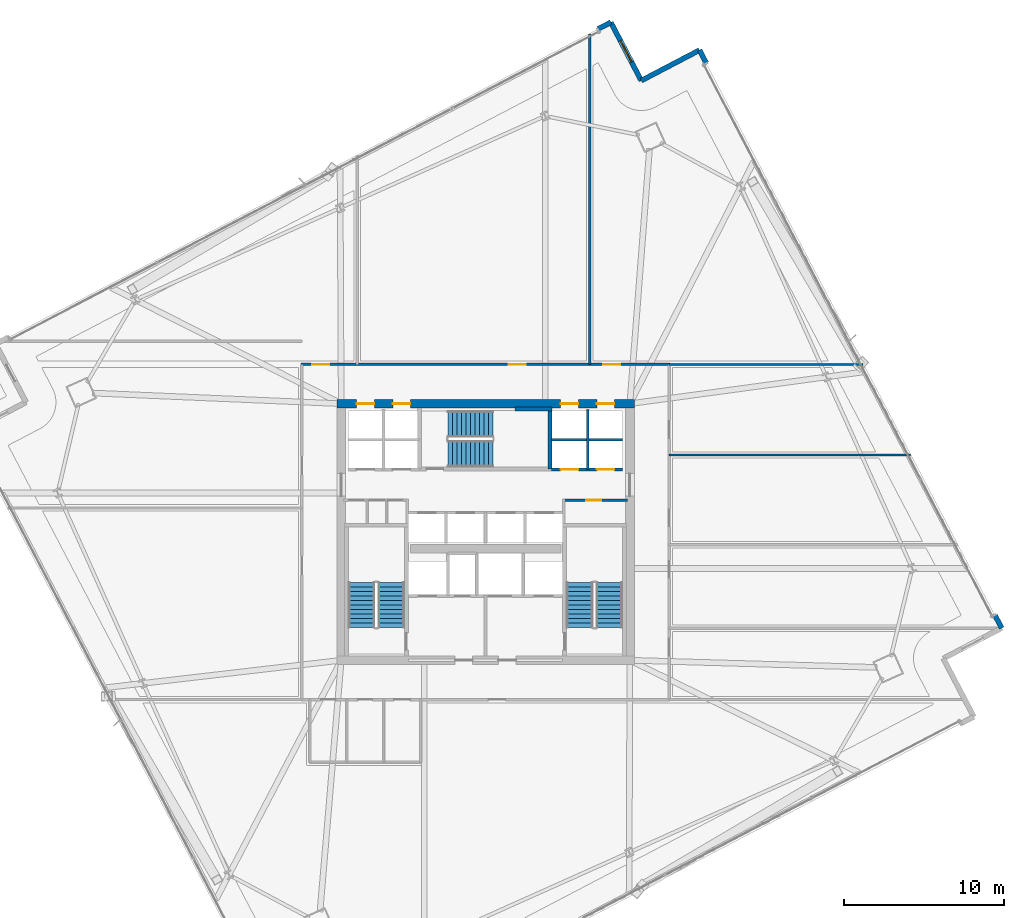
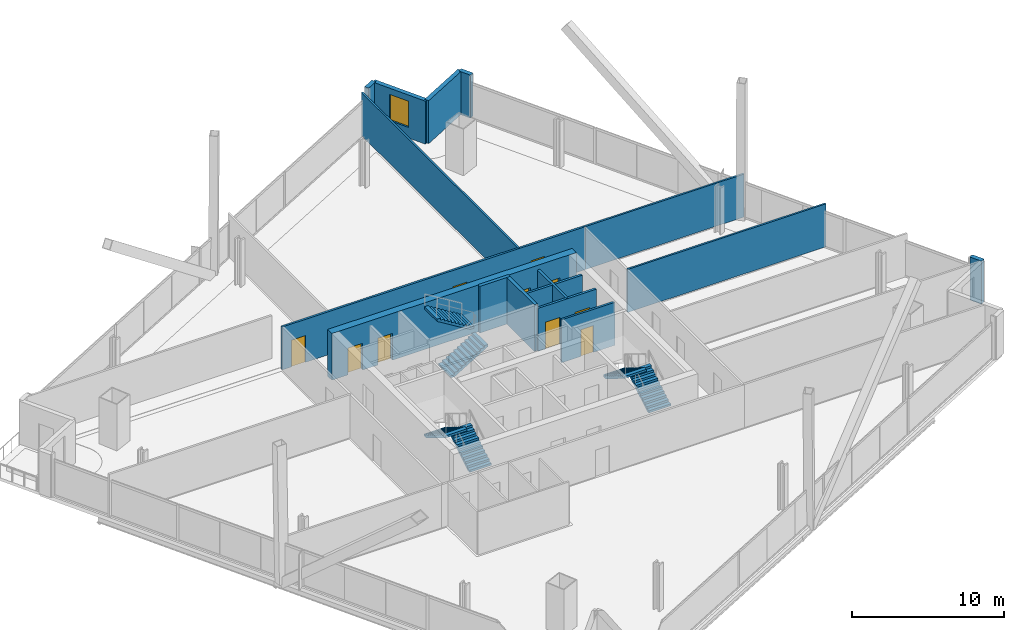
# One storey, part 28 of 33: 16 walls, 10 doors, 6 stair flights, 1 window, 11 openings, 3 elements without a shape of their own.
"""IFC4 building model written with IfcOpenShell, lengths in metres."""

import ifcopenshell
import ifcopenshell.guid

model = None  # the IFC model being written
_history = None  # IfcOwnerHistory: only IFC2X3 demands one
_inside = {}  # id of a spatial element -> (the spatial element, [elements in it])
_under = {}  # id of a project, library or spatial element -> (it, [spatial elements below it])
_declared = {}  # id of a project -> (the project, [libraries it declares])
_typed = {}  # id of a type object -> (the type object, [elements of that type])
_made_of = {}  # id of a material, layer set ... -> (it, [elements and type objects made of it])


def new_model(schema):
    """Start an empty IFC model of exactly this schema.

    Asked for "IFC4X3", IfcOpenShell would pick the latest addendum, in which some entities
    have other attributes; the version numbers below select the first issue.
    IFC2X3 requires an IfcOwnerHistory on every rooted entity: one is made here for all.
    """
    global model, _history
    if schema == "IFC4X3":
        model = ifcopenshell.file(schema_version=(4, 3, 0, 0))
    else:
        model = ifcopenshell.file(schema=schema)
    _inside.clear()
    _under.clear()
    _declared.clear()
    _typed.clear()
    _made_of.clear()
    _history = None
    if model.schema == "IFC2X3":
        org = make("IfcOrganization", Name="unknown")
        user = make(
            "IfcPersonAndOrganization",
            ThePerson=make("IfcPerson", FamilyName="unknown"),
            TheOrganization=org,
        )
        app = make(
            "IfcApplication",
            ApplicationDeveloper=org,
            Version="unknown",
            ApplicationFullName="unknown",
            ApplicationIdentifier="unknown",
        )
        _history = make(
            "IfcOwnerHistory",
            OwningUser=user,
            OwningApplication=app,
            ChangeAction="ADDED",
            CreationDate=0,
        )
    return model


def make(cls, **values):
    """One entity of the class cls with the attributes given. An attribute that is None is left unset."""
    return model.create_entity(
        cls, **{name: value for name, value in values.items() if value is not None}
    )


def rooted(cls, **values):
    """An entity with a GlobalId (a new one), such as an element, a storey or a relation."""
    return make(cls, GlobalId=ifcopenshell.guid.new(), OwnerHistory=_history, **values)


def si_unit(unit_type, name, prefix=None):
    """IfcSIUnit, for example si_unit("LENGTHUNIT", "METRE", prefix="MILLI")."""
    return make("IfcSIUnit", UnitType=unit_type, Prefix=prefix, Name=name)


def assignment(units):
    """IfcUnitAssignment: the units of a project."""
    return None if units is None else make("IfcUnitAssignment", Units=units)


def point(xyz):
    """IfcCartesianPoint."""
    return None if xyz is None else make("IfcCartesianPoint", Coordinates=xyz)


def direction(xyz):
    """IfcDirection."""
    return None if xyz is None else make("IfcDirection", DirectionRatios=xyz)


def frame(location, z_axis=None, x_axis=None):
    """IfcAxis2Placement3D, a coordinate frame: its origin and axes. An axis left out is left unset."""
    return make(
        "IfcAxis2Placement3D",
        Location=point(location),
        Axis=direction(z_axis),
        RefDirection=direction(x_axis),
    )


def frame_2d(location, x_axis=None):
    """IfcAxis2Placement2D, a coordinate frame in the plane: its origin and x axis."""
    return make(
        "IfcAxis2Placement2D", Location=point(location), RefDirection=direction(x_axis)
    )


def origin():
    """The frame at (0, 0, 0) with its axes left unset."""
    return frame((0.0, 0.0, 0.0))


def place(relative_to, where):
    """IfcLocalPlacement: puts the frame where relative to a parent placement (None: the world)."""
    return make(
        "IfcLocalPlacement", PlacementRelTo=relative_to, RelativePlacement=where
    )


def context(
    kind, dimensions, precision=None, world=None, true_north=None, identifier=None
):
    """IfcGeometricRepresentationContext, for example the 3D "Model" context."""
    return make(
        "IfcGeometricRepresentationContext",
        ContextIdentifier=identifier,
        ContextType=kind,
        CoordinateSpaceDimension=dimensions,
        Precision=precision,
        WorldCoordinateSystem=world,
        TrueNorth=true_north,
    )


def subcontext(parent, identifier, kind, view, scale=None):
    """IfcGeometricRepresentationSubContext, for example "Body" below "Model"."""
    return make(
        "IfcGeometricRepresentationSubContext",
        ContextIdentifier=identifier,
        ContextType=kind,
        ParentContext=parent,
        TargetScale=scale,
        TargetView=view,
    )


def project(units=None, contexts=None):
    """IfcProject with its units and contexts."""
    return rooted(
        "IfcProject",
        Name="project",
        RepresentationContexts=contexts,
        UnitsInContext=assignment(units),
    )


def spatial(cls, under=None, at=None, **own):
    """A site, building, storey or space (cls), placed at a placement, below another one or the project."""
    s = rooted(cls, ObjectPlacement=at, **own)
    if under is not None:
        _under.setdefault(under.id(), (under, []))[1].append(s)
    return s


def polyline(points):
    """IfcPolyline through the points."""
    return make("IfcPolyline", Points=[point(p) for p in points])


def profile(cls, at=None, kind="AREA", **sizes):
    """A parametric profile (cls). Its sizes go by their IFC names, for example OverallWidth=200.0."""
    return make(cls, ProfileType=kind, Position=at, **sizes)


def rectangle(**sizes):
    """IfcRectangleProfileDef."""
    return profile("IfcRectangleProfileDef", **sizes)


def outline(outer, holes=None, kind="AREA"):
    """IfcArbitraryClosedProfileDef: a profile drawn as a closed curve; with holes, ...WithVoids."""
    if holes is None:
        return make("IfcArbitraryClosedProfileDef", ProfileType=kind, OuterCurve=outer)
    return make(
        "IfcArbitraryProfileDefWithVoids",
        ProfileType=kind,
        OuterCurve=outer,
        InnerCurves=holes,
    )


def extrude(swept, where, along, depth):
    """IfcExtrudedAreaSolid: the profile swept, set in the frame where, extruded along a direction by depth."""
    return make(
        "IfcExtrudedAreaSolid",
        SweptArea=swept,
        Position=where,
        ExtrudedDirection=direction(along),
        Depth=depth,
    )


def shape(context_of_items, identifier, shape_type, items):
    """IfcShapeRepresentation: the items that make up one representation, for example the "Body"."""
    return make(
        "IfcShapeRepresentation",
        ContextOfItems=context_of_items,
        RepresentationIdentifier=identifier,
        RepresentationType=shape_type,
        Items=items,
    )


def material(Name=None, Category=None):
    """IfcMaterial."""
    return make("IfcMaterial", Name=Name, Category=Category)


def layer(
    of_material, thickness, ventilated=None, Name=None, Category=None, Priority=None
):
    """IfcMaterialLayer: one layer of a wall or slab, of a material (None: an air gap)."""
    return make(
        "IfcMaterialLayer",
        Material=of_material,
        LayerThickness=thickness,
        IsVentilated=ventilated,
        Name=Name,
        Category=Category,
        Priority=Priority,
    )


def layer_set(layers, Name=None):
    """IfcMaterialLayerSet."""
    return make("IfcMaterialLayerSet", MaterialLayers=layers, LayerSetName=Name)


def made_of(thing, what):
    """Note that an element or type object is made of a material, layer set ...; save() writes the relation."""
    if what is not None:
        _made_of.setdefault(what.id(), (what, []))[1].append(thing)
    return thing


def type_object(cls, material=None, **own):
    """A type object (cls), such as IfcWallType, which elements share."""
    return made_of(rooted(cls, **own), material)


def element(
    cls,
    number,
    at=None,
    inside=None,
    cuts=None,
    type_object=None,
    material=None,
    context=None,
    identifier="Body",
    shape_type=None,
    held_by="IfcProductDefinitionShape",
    body=None,
    shapes=None,
    **own,
):
    """One element of the class cls, such as IfcWall. Its Tag is "e" and its number.

    at: its placement. inside: the storey or other place that contains it. cuts: it is an
    opening in that element (IfcRelVoidsElement). A single representation is given by context,
    identifier, shape_type and body (its items); several are given by shapes. held_by: the class
    of the entity that holds the representations. save() writes the other relations.
    """
    e = rooted(cls, Tag="e%d" % number, ObjectPlacement=at, **own)
    if body is not None:
        shapes = [shape(context, identifier, shape_type, body)]
    if shapes is not None:
        e.Representation = make(held_by, Representations=shapes)
    if inside is not None:
        _inside.setdefault(inside.id(), (inside, []))[1].append(e)
    if cuts is not None:
        rooted(
            "IfcRelVoidsElement", RelatingBuildingElement=cuts, RelatedOpeningElement=e
        )
    if type_object is not None:
        _typed.setdefault(type_object.id(), (type_object, []))[1].append(e)
    return made_of(e, material)


def fill(opening, filler):
    """IfcRelFillsElement: the door or window that sits in an opening."""
    return rooted(
        "IfcRelFillsElement",
        RelatingOpeningElement=opening,
        RelatedBuildingElement=filler,
    )


def aggregate(whole, parts):
    """IfcRelAggregates: a whole, such as a stair, and the parts it consists of."""
    return rooted("IfcRelAggregates", RelatingObject=whole, RelatedObjects=parts)


def save(model, path):
    """Write the relations noted so far, then the file.

    IfcRelAggregates (storeys below a building ...), IfcRelContainedInSpatialStructure (elements
    in a storey), IfcRelDefinesByType, IfcRelAssociatesMaterial and IfcRelDeclares: one each for
    every whole, place, type object, material and project.
    """
    for whole, parts in _under.values():
        aggregate(whole, parts)
    for where, things in _inside.values():
        rooted(
            "IfcRelContainedInSpatialStructure",
            RelatedElements=things,
            RelatingStructure=where,
        )
    for kind, things in _typed.values():
        rooted("IfcRelDefinesByType", RelatedObjects=things, RelatingType=kind)
    for what, things in _made_of.values():
        rooted("IfcRelAssociatesMaterial", RelatedObjects=things, RelatingMaterial=what)
    for by, libraries in _declared.values():
        rooted("IfcRelDeclares", RelatingContext=by, RelatedDefinitions=libraries)
    model.write(path)


model = new_model("IFC4")

# Units and contexts
model_context = context("Model", 3, precision=1e-05, world=origin(), true_north=direction((0.0, 1.0)))
body_context = subcontext(model_context, "Body", "Model", "MODEL_VIEW")
ifc_project = project(units=[si_unit("LENGTHUNIT", "METRE"), si_unit("AREAUNIT", "SQUARE_METRE"), si_unit("VOLUMEUNIT", "CUBIC_METRE"), si_unit("PLANEANGLEUNIT", "RADIAN"), si_unit("MASSUNIT", "GRAM", prefix="KILO")], contexts=[model_context])

# Site, building, storey
site_placement = place(None, origin())
site = spatial("IfcSite", under=ifc_project, at=site_placement, CompositionType="ELEMENT")
building_placement = place(site_placement, origin())
building = spatial("IfcBuilding", under=site, at=building_placement, Name="Haldenkirk Collegiate Tower", CompositionType="ELEMENT")
storey_placement = place(building_placement, frame((0.0, 0.0, 120.449951171875)))
storey = spatial("IfcBuildingStorey", under=building, at=storey_placement, Name="L29", CompositionType="ELEMENT", Elevation=120.449951171875)

# Wall, openings, doors
ifc_material_1 = material(Name="Concrete f'c 70 MPa", Category="concrete")
ifc_layer_1 = layer(ifc_material_1, 0.550048828125)
ifc_layer_set_1 = layer_set([ifc_layer_1], Name="Concrete f'c 70 MPa")
wall_type_1 = type_object("IfcWallType", Name="WL-CORE-550", PredefinedType="SHEAR", material=ifc_layer_set_1)
wall_1_placement = place(storey_placement, frame((26.72509765625, 34.0, 0.0), z_axis=(0.0, 0.0, 1.0), x_axis=(1.0, 0.0, 0.0)))
wall_1 = element("IfcWall", 1, at=wall_1_placement, inside=storey, type_object=wall_type_1, Name="L29 central core shear wall N", PredefinedType="SHEAR", context=body_context, shape_type="SweptSolid", body=[
    extrude(rectangle(XDim=18.5498046875, YDim=0.550048828125, at=frame_2d((9.27490234375, 0.0))), origin(), (0.0, 0.0, 1.0), 3.75),
])
opening_1_placement = place(wall_1_placement, frame((1.239990234375, 0.0, 0.0)))
opening_1 = element("IfcOpeningElement", 2, at=opening_1_placement, cuts=wall_1, Name="Opening LD-11", PredefinedType="OPENING", context=body_context, shape_type="SweptSolid", body=[
    extrude(rectangle(XDim=1.10009765625, YDim=2.14990234375, at=frame_2d((0.550048828125, 1.074951171875))), frame((0.0, 0.284912109375, 0.0), z_axis=(0.0, -1.0, 0.0), x_axis=(1.0, 0.0, 0.0)), (0.0, 0.0, 1.0), 0.570068359375),
])
opening_2_placement = place(wall_1_placement, frame((3.489990234375, 0.0, 0.0)))
opening_2 = element("IfcOpeningElement", 3, at=opening_2_placement, cuts=wall_1, Name="Opening LD-11", PredefinedType="OPENING", context=body_context, shape_type="SweptSolid", body=[
    extrude(rectangle(XDim=1.10009765625, YDim=2.14990234375, at=frame_2d((0.550048828125, 1.074951171875))), frame((0.0, 0.284912109375, 0.0), z_axis=(0.0, -1.0, 0.0), x_axis=(1.0, 0.0, 0.0)), (0.0, 0.0, 1.0), 0.570068359375),
])
opening_3_placement = place(wall_1_placement, frame((13.9599609375, 0.0, 0.0)))
opening_3 = element("IfcOpeningElement", 4, at=opening_3_placement, cuts=wall_1, Name="Opening LD-11", PredefinedType="OPENING", context=body_context, shape_type="SweptSolid", body=[
    extrude(rectangle(XDim=1.10009765625, YDim=2.14990234375, at=frame_2d((0.550048828125, 1.074951171875))), frame((0.0, 0.284912109375, 0.0), z_axis=(0.0, -1.0, 0.0), x_axis=(1.0, 0.0, 0.0)), (0.0, 0.0, 1.0), 0.570068359375),
])
opening_4_placement = place(wall_1_placement, frame((16.2099609375, 0.0, 0.0)))
opening_4 = element("IfcOpeningElement", 5, at=opening_4_placement, cuts=wall_1, Name="Opening LD-11", PredefinedType="OPENING", context=body_context, shape_type="SweptSolid", body=[
    extrude(rectangle(XDim=1.10009765625, YDim=2.14990234375, at=frame_2d((0.550048828125, 1.074951171875))), frame((0.0, 0.284912109375, 0.0), z_axis=(0.0, -1.0, 0.0), x_axis=(1.0, 0.0, 0.0)), (0.0, 0.0, 1.0), 0.570068359375),
])
ifc_material_2 = material(Name="Brushed architectural stainless steel", Category="steel")
ifc_layer_2 = layer(ifc_material_2, 0.06005859375)
ifc_layer_set_2 = layer_set([ifc_layer_2], Name="Brushed architectural stainless steel")
door_type_1 = type_object("IfcDoorType", Name="LD-PASS-1100", OperationType="NOTDEFINED", PredefinedType="DOOR", material=ifc_layer_set_2)
door_1_placement = place(opening_1_placement, origin())
door_1 = element("IfcDoor", 6, at=door_1_placement, inside=storey, type_object=door_type_1, Name="L29 Elevator PL3 sliding landing door", OperationType="SLIDING_TO_LEFT", OverallHeight=2.14990234375, OverallWidth=1.10009765625, PredefinedType="DOOR", context=body_context, shape_type="SweptSolid", body=[
    extrude(rectangle(XDim=1.10009765625, YDim=2.14990234375, at=frame_2d((0.550048828125, 1.074951171875))), frame((0.0, 0.02490234375, 0.0), z_axis=(0.0, -1.0, 0.0), x_axis=(1.0, 0.0, 0.0)), (0.0, 0.0, 1.0), 0.050048828125),
])
fill(opening_1, door_1)
door_2_placement = place(opening_2_placement, origin())
door_2 = element("IfcDoor", 7, at=door_2_placement, inside=storey, type_object=door_type_1, Name="L29 Elevator PL4 sliding landing door", OperationType="SLIDING_TO_LEFT", OverallHeight=2.14990234375, OverallWidth=1.10009765625, PredefinedType="DOOR", context=body_context, shape_type="SweptSolid", body=[
    extrude(rectangle(XDim=1.10009765625, YDim=2.14990234375, at=frame_2d((0.550048828125, 1.074951171875))), frame((0.0, 0.02490234375, 0.0), z_axis=(0.0, -1.0, 0.0), x_axis=(1.0, 0.0, 0.0)), (0.0, 0.0, 1.0), 0.050048828125),
])
fill(opening_2, door_2)
door_3_placement = place(opening_3_placement, origin())
door_3 = element("IfcDoor", 8, at=door_3_placement, inside=storey, type_object=door_type_1, Name="L29 Elevator PM3 sliding landing door", OperationType="SLIDING_TO_LEFT", OverallHeight=2.14990234375, OverallWidth=1.10009765625, PredefinedType="DOOR", context=body_context, shape_type="SweptSolid", body=[
    extrude(rectangle(XDim=1.10009765625, YDim=2.14990234375, at=frame_2d((0.550048828125, 1.074951171875))), frame((0.0, 0.02490234375, 0.0), z_axis=(0.0, -1.0, 0.0), x_axis=(1.0, 0.0, 0.0)), (0.0, 0.0, 1.0), 0.050048828125),
])
fill(opening_3, door_3)
door_4_placement = place(opening_4_placement, origin())
door_4 = element("IfcDoor", 9, at=door_4_placement, inside=storey, type_object=door_type_1, Name="L29 Elevator PM4 sliding landing door", OperationType="SLIDING_TO_LEFT", OverallHeight=2.14990234375, OverallWidth=1.10009765625, PredefinedType="DOOR", context=body_context, shape_type="SweptSolid", body=[
    extrude(rectangle(XDim=1.10009765625, YDim=2.14990234375, at=frame_2d((0.550048828125, 1.074951171875))), frame((0.0, 0.02490234375, 0.0), z_axis=(0.0, -1.0, 0.0), x_axis=(1.0, 0.0, 0.0)), (0.0, 0.0, 1.0), 0.050048828125),
])
fill(opening_4, door_4)

# Walls
ifc_material_3 = material(Name="Precast concrete f'c 40 MPa", Category="concrete")
ifc_layer_3 = layer(ifc_material_3, 0.320068359375)
ifc_layer_set_3 = layer_set([ifc_layer_3], Name="Precast concrete f'c 40 MPa")
wall_type_2 = type_object("IfcWallType", Name="WL-EXT-TWR-320", PredefinedType="STANDARD", material=ifc_layer_set_3)
for number, where, z_axis, x_axis, name in (
    (10, (49.34521484375, 56.052734375, 0.0), (0.0, 0.0, 1.0), (0.463307469575, -0.886197601348, 0.0), "L29 precast corner pier EL"),
    (11, (67.77294921875, 20.803955078125, 0.0), (0.0, 0.0, 1.0), (0.463307469575, -0.886197601348, 0.0), "L29 precast corner pier ER"),
):
    element("IfcWall", number, at=place(storey_placement, frame(where, z_axis=z_axis, x_axis=x_axis)), inside=storey, type_object=wall_type_2, Name=name, PredefinedType="STANDARD", context=body_context, shape_type="SweptSolid", body=[
        extrude(rectangle(XDim=0.900146484375, YDim=0.320068359375, at=frame_2d((0.4501953125, 0.0))), origin(), (0.0, 0.0, 1.0), 3.449951171875),
    ])
wall_2_placement = place(storey_placement, frame((45.7119140625, 54.1533203125, 0.0), z_axis=(0.0, 0.0, 1.0), x_axis=(0.886206551854, 0.463290348973, 0.0)))
element("IfcWall", 12, at=wall_2_placement, inside=storey, type_object=wall_type_2, Name="L29 bronze precast notch wall 05", PredefinedType="STANDARD", context=body_context, shape_type="SweptSolid", body=[
    extrude(rectangle(XDim=4.099853515625, YDim=0.320068359375, at=frame_2d((2.0498046875, 0.0))), origin(), (0.0, 0.0, 1.0), 3.449951171875),
])

# Wall, opening, window
wall_3_placement = place(storey_placement, frame((43.8125, 57.78662109375, 0.0), z_axis=(0.0, 0.0, 1.0), x_axis=(0.463290348973, -0.886206551854, 0.0)))
wall_3 = element("IfcWall", 13, at=wall_3_placement, inside=storey, type_object=wall_type_2, Name="L29 bronze precast notch wall 06", PredefinedType="STANDARD", context=body_context, shape_type="SweptSolid", body=[
    extrude(rectangle(XDim=4.099853515625, YDim=0.320068359375, at=frame_2d((2.0498046875, 0.0))), origin(), (0.0, 0.0, 1.0), 3.449951171875),
])
opening_5_placement = place(wall_3_placement, frame((1.300048828125, 0.0, 0.85009765625)))
opening_5 = element("IfcOpeningElement", 14, at=opening_5_placement, cuts=wall_3, Name="Opening W-04", PredefinedType="OPENING", context=body_context, shape_type="SweptSolid", body=[
    extrude(rectangle(XDim=1.5, YDim=2.10009765625, at=frame_2d((0.75, 1.050048828125))), frame((0.0, 0.169921875, 0.0), z_axis=(0.0, -1.0, 0.0), x_axis=(1.0, 0.0, 0.0)), (0.0, 0.0, 1.0), 0.340087890625),
])
ifc_material_4 = material(Name="Low-E argon triple insulating glass", Category="glass")
ifc_layer_4 = layer(ifc_material_4, 0.090087890625)
ifc_layer_set_4 = layer_set([ifc_layer_4], Name="Low-E argon triple insulating glass")
window_type = type_object("IfcWindowType", Name="WN-Z2-1500X2100", PartitioningType="SINGLE_PANEL", PredefinedType="WINDOW", material=ifc_layer_set_4)
window_placement = place(opening_5_placement, origin())
window = element("IfcWindow", 15, at=window_placement, inside=storey, type_object=window_type, Name="L29 precast-frame academic window 5", OverallHeight=2.10009765625, OverallWidth=1.5, PartitioningType="SINGLE_PANEL", PredefinedType="WINDOW", context=body_context, shape_type="SweptSolid", body=[
    extrude(rectangle(XDim=1.5, YDim=2.10009765625, at=frame_2d((0.75, 1.050048828125))), frame((0.0, 0.030029296875, 0.0), z_axis=(0.0, -1.0, 0.0), x_axis=(1.0, 0.0, 0.0)), (0.0, 0.0, 1.0), 0.06005859375),
])
fill(opening_5, window)

# Wall
wall_4_placement = place(storey_placement, frame((43.014892578125, 57.36962890625, 0.0), z_axis=(0.0, 0.0, 1.0), x_axis=(0.886197601348, 0.463307469575, 0.0)))
element("IfcWall", 16, at=wall_4_placement, inside=storey, type_object=wall_type_2, Name="L29 precast corner pier NR", PredefinedType="STANDARD", context=body_context, shape_type="SweptSolid", body=[
    extrude(rectangle(XDim=0.900146484375, YDim=0.320068359375, at=frame_2d((0.4501953125, 0.0))), origin(), (0.0, 0.0, 1.0), 3.449951171875),
])

# Wall, opening, door
ifc_material_5 = material(Name="Acoustic fire-rated gypsum partition", Category="concrete")
ifc_layer_5 = layer(ifc_material_5, 0.159912109375)
ifc_layer_set_5 = layer_set([ifc_layer_5], Name="Acoustic fire-rated gypsum partition")
wall_type_3 = type_object("IfcWallType", Name="WL-INT-CORR-160", PredefinedType="PARTITIONING", material=ifc_layer_set_5)
wall_5_placement = place(storey_placement, frame((40.800048828125, 27.97998046875, 0.0), z_axis=(0.0, 0.0, 1.0), x_axis=(1.0, 0.0, 0.0)))
wall_5 = element("IfcWall", 17, at=wall_5_placement, inside=storey, type_object=wall_type_3, Name="L29 interior partition IW-L29-VCSE-N", PredefinedType="PARTITIONING", context=body_context, shape_type="SweptSolid", body=[
    extrude(rectangle(XDim=4.050048828125, YDim=0.159912109375, at=frame_2d((2.02490234375, 0.0))), origin(), (0.0, 0.0, 1.0), 3.449951171875),
])
opening_6_placement = place(wall_5_placement, frame((1.47509765625, 0.0, 0.0)))
opening_6 = element("IfcOpeningElement", 18, at=opening_6_placement, cuts=wall_5, Name="Opening D-10", PredefinedType="OPENING", context=body_context, shape_type="SweptSolid", body=[
    extrude(rectangle(XDim=0.949951171875, YDim=2.14990234375, at=frame_2d((0.47509765625, 1.074951171875))), frame((0.0, 0.08984375, 0.0), z_axis=(0.0, -1.0, 0.0), x_axis=(1.0, 0.0, 0.0)), (0.0, 0.0, 1.0), 0.179931640625),
])
ifc_material_6 = material(Name="Solid-core architectural oak fire door", Category="wood")
ifc_layer_6 = layer(ifc_material_6, 0.06005859375)
ifc_layer_set_6 = layer_set([ifc_layer_6], Name="Solid-core architectural oak fire door")
door_type_2 = type_object("IfcDoorType", Name="DR-INT-FD60-950", OperationType="NOTDEFINED", PredefinedType="DOOR", material=ifc_layer_set_6)
door_5_placement = place(opening_6_placement, origin())
door_5 = element("IfcDoor", 19, at=door_5_placement, inside=storey, type_object=door_type_2, Name="L29 core archive vault door", OperationType="SINGLE_SWING_RIGHT", OverallHeight=2.14990234375, OverallWidth=0.949951171875, PredefinedType="DOOR", context=body_context, shape_type="SweptSolid", body=[
    extrude(rectangle(XDim=0.949951171875, YDim=2.14990234375, at=frame_2d((0.47509765625, 1.074951171875))), frame((0.0, 0.02490234375, 0.0), z_axis=(0.0, -1.0, 0.0), x_axis=(1.0, 0.0, 0.0)), (0.0, 0.0, 1.0), 0.050048828125),
])
fill(opening_6, door_5)

# Wall, openings, doors
wall_6_placement = place(storey_placement, frame((24.5, 36.449951171875, 0.0), z_axis=(0.0, 0.0, 1.0), x_axis=(1.0, 0.0, 0.0)))
wall_6 = element("IfcWall", 20, at=wall_6_placement, inside=storey, type_object=wall_type_3, Name="L29 interior partition IW-L29-CN", PredefinedType="PARTITIONING", context=body_context, shape_type="SweptSolid", body=[
    extrude(rectangle(XDim=23.0, YDim=0.159912109375, at=frame_2d((11.5, 0.0))), origin(), (0.0, 0.0, 1.0), 3.449951171875),
])
opening_7_placement = place(wall_6_placement, frame((0.700927734375, 0.0, 0.0)))
opening_7 = element("IfcOpeningElement", 21, at=opening_7_placement, cuts=wall_6, Name="Opening D-09", PredefinedType="OPENING", context=body_context, shape_type="SweptSolid", body=[
    extrude(rectangle(XDim=1.050048828125, YDim=2.14990234375, at=frame_2d((0.52490234375, 1.074951171875))), frame((0.0, 0.08984375, 0.0), z_axis=(0.0, -1.0, 0.0), x_axis=(1.0, 0.0, 0.0)), (0.0, 0.0, 1.0), 0.179931640625),
])
opening_8_placement = place(wall_6_placement, frame((12.955078125, 0.0, 0.0)))
opening_8 = element("IfcOpeningElement", 22, at=opening_8_placement, cuts=wall_6, Name="Opening D-09", PredefinedType="OPENING", context=body_context, shape_type="SweptSolid", body=[
    extrude(rectangle(XDim=1.050048828125, YDim=2.14990234375, at=frame_2d((0.52490234375, 1.074951171875))), frame((0.0, 0.08984375, 0.0), z_axis=(0.0, -1.0, 0.0), x_axis=(1.0, 0.0, 0.0)), (0.0, 0.0, 1.0), 0.179931640625),
])
opening_9_placement = place(wall_6_placement, frame((18.84912109375, 0.0, 0.0)))
opening_9 = element("IfcOpeningElement", 23, at=opening_9_placement, cuts=wall_6, Name="Opening D-09", PredefinedType="OPENING", context=body_context, shape_type="SweptSolid", body=[
    extrude(rectangle(XDim=1.050048828125, YDim=2.14990234375, at=frame_2d((0.52490234375, 1.074951171875))), frame((0.0, 0.08984375, 0.0), z_axis=(0.0, -1.0, 0.0), x_axis=(1.0, 0.0, 0.0)), (0.0, 0.0, 1.0), 0.179931640625),
])
ifc_layer_7 = layer(ifc_material_6, 0.06005859375)
ifc_layer_set_7 = layer_set([ifc_layer_7], Name="Solid-core architectural oak fire door")
door_type_3 = type_object("IfcDoorType", Name="DR-INT-FD60-1050", OperationType="NOTDEFINED", PredefinedType="DOOR", material=ifc_layer_set_7)
door_6_placement = place(opening_7_placement, origin())
door_6 = element("IfcDoor", 24, at=door_6_placement, inside=storey, type_object=door_type_3, Name="L29 Catering Tea Kitchen 2 door", OperationType="SINGLE_SWING_LEFT", OverallHeight=2.14990234375, OverallWidth=1.050048828125, PredefinedType="DOOR", context=body_context, shape_type="SweptSolid", body=[
    extrude(rectangle(XDim=1.050048828125, YDim=2.14990234375, at=frame_2d((0.52490234375, 1.074951171875))), frame((0.0, 0.02490234375, 0.0), z_axis=(0.0, -1.0, 0.0), x_axis=(1.0, 0.0, 0.0)), (0.0, 0.0, 1.0), 0.050048828125),
])
fill(opening_7, door_6)
door_7_placement = place(opening_8_placement, origin())
door_7 = element("IfcDoor", 25, at=door_7_placement, inside=storey, type_object=door_type_3, Name="L29 Faculty Tea Kitchen 3 door", OperationType="SINGLE_SWING_RIGHT", OverallHeight=2.14990234375, OverallWidth=1.050048828125, PredefinedType="DOOR", context=body_context, shape_type="SweptSolid", body=[
    extrude(rectangle(XDim=1.050048828125, YDim=2.14990234375, at=frame_2d((0.52490234375, 1.074951171875))), frame((0.0, 0.02490234375, 0.0), z_axis=(0.0, -1.0, 0.0), x_axis=(1.0, 0.0, 0.0)), (0.0, 0.0, 1.0), 0.050048828125),
])
fill(opening_8, door_7)
door_8_placement = place(opening_9_placement, origin())
door_8 = element("IfcDoor", 26, at=door_8_placement, inside=storey, type_object=door_type_3, Name="L29 Academic Tea Kitchen 4 door", OperationType="SINGLE_SWING_LEFT", OverallHeight=2.14990234375, OverallWidth=1.050048828125, PredefinedType="DOOR", context=body_context, shape_type="SweptSolid", body=[
    extrude(rectangle(XDim=1.050048828125, YDim=2.14990234375, at=frame_2d((0.52490234375, 1.074951171875))), frame((0.0, 0.02490234375, 0.0), z_axis=(0.0, -1.0, 0.0), x_axis=(1.0, 0.0, 0.0)), (0.0, 0.0, 1.0), 0.050048828125),
])
fill(opening_9, door_8)

# Walls
ifc_layer_8 = layer(ifc_material_5, 0.139892578125)
ifc_layer_set_8 = layer_set([ifc_layer_8], Name="Acoustic fire-rated gypsum partition")
wall_type_4 = type_object("IfcWallType", Name="WL-INT-DIV-140", PredefinedType="PARTITIONING", material=ifc_layer_set_8)
wall_7_placement = place(storey_placement, frame((47.449951171875, 36.449951171875, 0.0), z_axis=(0.0, 0.0, 1.0), x_axis=(1.0, 0.0, 0.0)))
element("IfcWall", 27, at=wall_7_placement, inside=storey, type_object=wall_type_4, Name="L29 interior partition IW-L29-BEN", PredefinedType="PARTITIONING", context=body_context, shape_type="SweptSolid", body=[
    extrude(rectangle(XDim=12.09814453125, YDim=0.139892578125, at=frame_2d((6.049072265625, 0.0))), origin(), (0.0, 0.0, 1.0), 3.449951171875),
])
wall_8_placement = place(storey_placement, frame((42.5, 36.449951171875, 0.0), z_axis=(0.0, 0.0, 1.0), x_axis=(0.0, 1.0, 0.0)))
element("IfcWall", 28, at=wall_8_placement, inside=storey, type_object=wall_type_4, Name="L29 interior partition IW-L29-RN2", PredefinedType="PARTITIONING", context=body_context, shape_type="SweptSolid", body=[
    extrude(rectangle(XDim=20.60546875, YDim=0.139892578125, at=frame_2d((10.302734375, 0.0))), origin(), (0.0, 0.0, 1.0), 3.449951171875),
])
wall_9_placement = place(storey_placement, frame((47.449951171875, 30.800048828125, 0.0), z_axis=(0.0, 0.0, 1.0), x_axis=(1.0, 0.0, 0.0)))
element("IfcWall", 29, at=wall_9_placement, inside=storey, type_object=wall_type_4, Name="L29 interior partition IW-L29-RE3", PredefinedType="PARTITIONING", context=body_context, shape_type="SweptSolid", body=[
    extrude(rectangle(XDim=15.052001953125, YDim=0.139892578125, at=frame_2d((7.52587890625, 0.0))), origin(), (0.0, 0.0, 1.0), 3.449951171875),
])

# Wall, openings, doors
ifc_material_7 = material(Name="Fire-rated gypsum shaftboard assembly", Category="concrete")
ifc_layer_9 = layer(ifc_material_7, 0.179931640625)
ifc_layer_set_9 = layer_set([ifc_layer_9], Name="Fire-rated gypsum shaftboard assembly")
wall_type_5 = type_object("IfcWallType", Name="WL-INT-SHAFT-180", PredefinedType="PARTITIONING", material=ifc_layer_set_9)
wall_10_placement = place(storey_placement, frame((40.1201171875, 29.89990234375, 0.0), z_axis=(0.0, 0.0, 1.0), x_axis=(1.0, 0.0, 0.0)))
wall_10 = element("IfcWall", 30, at=wall_10_placement, inside=storey, type_object=wall_type_5, Name="L29 interior partition IW-L29-PMS", PredefinedType="PARTITIONING", context=body_context, shape_type="SweptSolid", body=[
    extrude(rectangle(XDim=4.429931640625, YDim=0.179931640625, at=frame_2d((2.21484375, 0.0))), origin(), (0.0, 0.0, 1.0), 3.449951171875),
])
opening_10_placement = place(wall_10_placement, frame((0.56494140625, 0.0, 0.0)))
opening_10 = element("IfcOpeningElement", 31, at=opening_10_placement, cuts=wall_10, Name="Opening LD-11", PredefinedType="OPENING", context=body_context, shape_type="SweptSolid", body=[
    extrude(rectangle(XDim=1.10009765625, YDim=2.14990234375, at=frame_2d((0.550048828125, 1.074951171875))), frame((0.0, 0.099853515625, 0.0), z_axis=(0.0, -1.0, 0.0), x_axis=(1.0, 0.0, 0.0)), (0.0, 0.0, 1.0), 0.199951171875),
])
opening_11_placement = place(wall_10_placement, frame((2.81494140625, 0.0, 0.0)))
opening_11 = element("IfcOpeningElement", 32, at=opening_11_placement, cuts=wall_10, Name="Opening LD-11", PredefinedType="OPENING", context=body_context, shape_type="SweptSolid", body=[
    extrude(rectangle(XDim=1.10009765625, YDim=2.14990234375, at=frame_2d((0.550048828125, 1.074951171875))), frame((0.0, 0.099853515625, 0.0), z_axis=(0.0, -1.0, 0.0), x_axis=(1.0, 0.0, 0.0)), (0.0, 0.0, 1.0), 0.199951171875),
])
door_9_placement = place(opening_10_placement, origin())
door_9 = element("IfcDoor", 33, at=door_9_placement, inside=storey, type_object=door_type_1, Name="L29 Elevator PM1 sliding landing door", OperationType="SLIDING_TO_LEFT", OverallHeight=2.14990234375, OverallWidth=1.10009765625, PredefinedType="DOOR", context=body_context, shape_type="SweptSolid", body=[
    extrude(rectangle(XDim=1.10009765625, YDim=2.14990234375, at=frame_2d((0.550048828125, 1.074951171875))), frame((0.0, 0.02490234375, 0.0), z_axis=(0.0, -1.0, 0.0), x_axis=(1.0, 0.0, 0.0)), (0.0, 0.0, 1.0), 0.050048828125),
])
fill(opening_10, door_9)
door_10_placement = place(opening_11_placement, origin())
door_10 = element("IfcDoor", 34, at=door_10_placement, inside=storey, type_object=door_type_1, Name="L29 Elevator PM2 sliding landing door", OperationType="SLIDING_TO_LEFT", OverallHeight=2.14990234375, OverallWidth=1.10009765625, PredefinedType="DOOR", context=body_context, shape_type="SweptSolid", body=[
    extrude(rectangle(XDim=1.10009765625, YDim=2.14990234375, at=frame_2d((0.550048828125, 1.074951171875))), frame((0.0, 0.02490234375, 0.0), z_axis=(0.0, -1.0, 0.0), x_axis=(1.0, 0.0, 0.0)), (0.0, 0.0, 1.0), 0.050048828125),
])
fill(opening_11, door_10)

# Walls
wall_11_placement = place(storey_placement, frame((40.1201171875, 31.75, 0.0), z_axis=(0.0, 0.0, 1.0), x_axis=(1.0, 0.0, 0.0)))
element("IfcWall", 35, at=wall_11_placement, inside=storey, type_object=wall_type_5, Name="L29 interior partition IW-L29-PMM", PredefinedType="PARTITIONING", context=body_context, shape_type="SweptSolid", body=[
    extrude(rectangle(XDim=4.429931640625, YDim=0.179931640625, at=frame_2d((2.21484375, 0.0))), origin(), (0.0, 0.0, 1.0), 3.449951171875),
])
wall_12_placement = place(storey_placement, frame((42.3701171875, 29.89990234375, 0.0), z_axis=(0.0, 0.0, 1.0), x_axis=(0.0, 1.0, 0.0)))
element("IfcWall", 36, at=wall_12_placement, inside=storey, type_object=wall_type_5, Name="L29 interior partition IW-L29-PMV", PredefinedType="PARTITIONING", context=body_context, shape_type="SweptSolid", body=[
    extrude(rectangle(XDim=3.75, YDim=0.179931640625, at=frame_2d((1.875, 0.0))), origin(), (0.0, 0.0, 1.0), 3.449951171875),
])
ifc_material_8 = material(Name="Concrete f'c 55 MPa", Category="concrete")
ifc_layer_10 = layer(ifc_material_8, 0.239990234375)
ifc_layer_set_10 = layer_set([ifc_layer_10], Name="Concrete f'c 55 MPa")
wall_type_6 = type_object("IfcWallType", Name="WL-SHAFT-240", PredefinedType="SHEAR", material=ifc_layer_set_10)
wall_13_placement = place(storey_placement, frame((40.02001953125, 29.929931640625, 0.0), z_axis=(0.0, 0.0, 1.0), x_axis=(0.0, 1.0, 0.0)))
element("IfcWall", 37, at=wall_13_placement, inside=storey, type_object=wall_type_6, Name="L29 stair shaft shear wall SW-L29-ST3E", PredefinedType="SHEAR", context=body_context, shape_type="SweptSolid", body=[
    extrude(rectangle(XDim=3.85009765625, YDim=0.239990234375, at=frame_2d((1.925048828125, 0.0))), origin(), (0.0, 0.0, 1.0), 3.75),
])
wall_14_placement = place(storey_placement, frame((37.85009765625, 33.659912109375, 0.0), z_axis=(0.0, 0.0, 1.0), x_axis=(1.0, 0.0, 0.0)))
element("IfcWall", 38, at=wall_14_placement, inside=storey, type_object=wall_type_6, Name="L29 stair shaft shear wall SW-L29-ST3N", PredefinedType="SHEAR", context=body_context, shape_type="SweptSolid", body=[
    extrude(rectangle(XDim=2.289794921875, YDim=0.239990234375, at=frame_2d((1.14501953125, 0.0))), origin(), (0.0, 0.0, 1.0), 3.75),
])

# Stair, stair flights
ifc_material_9 = material(Name="Concrete f'c 40 MPa", Category="concrete")
stair_type = type_object("IfcStairType", Name="STR-DOGLEG-1650", PredefinedType="HALF_TURN_STAIR", material=ifc_material_9)
stair_1_placement = place(storey_placement, origin())
stair_1 = element("IfcStair", 39, at=stair_1_placement, inside=storey, type_object=stair_type, Name="L29 Core Exit Stair ST-1", PredefinedType="HALF_TURN_STAIR")
stair_flight_type = type_object("IfcStairFlightType", Name="STF-FLIGHT-1650", PredefinedType="STRAIGHT", material=ifc_material_9)
stair_flight_1_placement = place(storey_placement, frame((30.125, 20.050048828125, 0.0), z_axis=(0.0, 0.0, 1.0), x_axis=(0.0, 1.0, 0.0)))
stair_flight_1 = element("IfcStairFlight", 40, at=stair_flight_1_placement, type_object=stair_flight_type, Name="ST-1 flight 1", NumberOfRisers=11, NumberOfTreads=10, PredefinedType="STRAIGHT", RiserHeight=0.170454545, TreadLength=0.28, context=body_context, shape_type="SweptSolid", body=[
    extrude(outline(polyline([(0.0, 0.0), (0.0, 0.17041015625), (0.280029296875, 0.17041015625), (0.280029296875, 0.3408203125), (0.56005859375, 0.3408203125), (0.56005859375, 0.511474609375), (0.840087890625, 0.511474609375), (0.840087890625, 0.681884765625), (1.1201171875, 0.681884765625), (1.1201171875, 0.852294921875), (1.39990234375, 0.852294921875), (1.39990234375, 1.022705078125), (1.679931640625, 1.022705078125), (1.679931640625, 1.193115234375), (1.9599609375, 1.193115234375), (1.9599609375, 1.363525390625), (2.239990234375, 1.363525390625), (2.239990234375, 1.5341796875), (2.52001953125, 1.5341796875), (2.52001953125, 1.70458984375), (2.800048828125, 1.70458984375), (2.800048828125, 1.875), (2.800048828125, 1.529052734375), (0.288330078125, 0.0), (0.0, 0.0)])), frame((0.0, 0.824951171875, 0.0), z_axis=(0.0, -1.0, 0.0), x_axis=(1.0, 0.0, 0.0)), (0.0, 0.0, 1.0), 1.64990234375),
])
stair_flight_2_placement = place(storey_placement, frame((28.27490234375, 22.85009765625, 1.875), z_axis=(0.0, 0.0, 1.0), x_axis=(0.0, -1.0, 0.0)))
stair_flight_2 = element("IfcStairFlight", 41, at=stair_flight_2_placement, type_object=stair_flight_type, Name="ST-1 flight 2", NumberOfRisers=11, NumberOfTreads=10, PredefinedType="STRAIGHT", RiserHeight=0.170454545, TreadLength=0.28, context=body_context, shape_type="SweptSolid", body=[
    extrude(outline(polyline([(0.0, 0.0), (0.0, 0.17041015625), (0.280029296875, 0.17041015625), (0.280029296875, 0.3408203125), (0.56005859375, 0.3408203125), (0.56005859375, 0.511474609375), (0.840087890625, 0.511474609375), (0.840087890625, 0.681884765625), (1.1201171875, 0.681884765625), (1.1201171875, 0.852294921875), (1.39990234375, 0.852294921875), (1.39990234375, 1.022705078125), (1.679931640625, 1.022705078125), (1.679931640625, 1.193115234375), (1.9599609375, 1.193115234375), (1.9599609375, 1.363525390625), (2.239990234375, 1.363525390625), (2.239990234375, 1.5341796875), (2.52001953125, 1.5341796875), (2.52001953125, 1.70458984375), (2.800048828125, 1.70458984375), (2.800048828125, 1.875), (2.800048828125, 1.529052734375), (0.288330078125, 0.0), (0.0, 0.0)])), frame((0.0, 0.824951171875, 0.0), z_axis=(0.0, -1.0, 0.0), x_axis=(1.0, 0.0, 0.0)), (0.0, 0.0, 1.0), 1.64990234375),
])
aggregate(stair_1, [stair_flight_1, stair_flight_2])

stair_2_placement = place(storey_placement, origin())
stair_2 = element("IfcStair", 42, at=stair_2_placement, inside=storey, type_object=stair_type, Name="L29 Core Exit Stair ST-2", PredefinedType="HALF_TURN_STAIR")
stair_flight_3_placement = place(storey_placement, frame((43.72509765625, 20.050048828125, 0.0), z_axis=(0.0, 0.0, 1.0), x_axis=(0.0, 1.0, 0.0)))
stair_flight_3 = element("IfcStairFlight", 43, at=stair_flight_3_placement, type_object=stair_flight_type, Name="ST-2 flight 1", NumberOfRisers=11, NumberOfTreads=10, PredefinedType="STRAIGHT", RiserHeight=0.170454545, TreadLength=0.28, context=body_context, shape_type="SweptSolid", body=[
    extrude(outline(polyline([(0.0, 0.0), (0.0, 0.17041015625), (0.280029296875, 0.17041015625), (0.280029296875, 0.3408203125), (0.56005859375, 0.3408203125), (0.56005859375, 0.511474609375), (0.840087890625, 0.511474609375), (0.840087890625, 0.681884765625), (1.1201171875, 0.681884765625), (1.1201171875, 0.852294921875), (1.39990234375, 0.852294921875), (1.39990234375, 1.022705078125), (1.679931640625, 1.022705078125), (1.679931640625, 1.193115234375), (1.9599609375, 1.193115234375), (1.9599609375, 1.363525390625), (2.239990234375, 1.363525390625), (2.239990234375, 1.5341796875), (2.52001953125, 1.5341796875), (2.52001953125, 1.70458984375), (2.800048828125, 1.70458984375), (2.800048828125, 1.875), (2.800048828125, 1.529052734375), (0.288330078125, 0.0), (0.0, 0.0)])), frame((0.0, 0.824951171875, 0.0), z_axis=(0.0, -1.0, 0.0), x_axis=(1.0, 0.0, 0.0)), (0.0, 0.0, 1.0), 1.64990234375),
])
stair_flight_4_placement = place(storey_placement, frame((41.875, 22.85009765625, 1.875), z_axis=(0.0, 0.0, 1.0), x_axis=(0.0, -1.0, 0.0)))
stair_flight_4 = element("IfcStairFlight", 44, at=stair_flight_4_placement, type_object=stair_flight_type, Name="ST-2 flight 2", NumberOfRisers=11, NumberOfTreads=10, PredefinedType="STRAIGHT", RiserHeight=0.170454545, TreadLength=0.28, context=body_context, shape_type="SweptSolid", body=[
    extrude(outline(polyline([(0.0, 0.0), (0.0, 0.17041015625), (0.280029296875, 0.17041015625), (0.280029296875, 0.3408203125), (0.56005859375, 0.3408203125), (0.56005859375, 0.511474609375), (0.840087890625, 0.511474609375), (0.840087890625, 0.681884765625), (1.1201171875, 0.681884765625), (1.1201171875, 0.852294921875), (1.39990234375, 0.852294921875), (1.39990234375, 1.022705078125), (1.679931640625, 1.022705078125), (1.679931640625, 1.193115234375), (1.9599609375, 1.193115234375), (1.9599609375, 1.363525390625), (2.239990234375, 1.363525390625), (2.239990234375, 1.5341796875), (2.52001953125, 1.5341796875), (2.52001953125, 1.70458984375), (2.800048828125, 1.70458984375), (2.800048828125, 1.875), (2.800048828125, 1.529052734375), (0.288330078125, 0.0), (0.0, 0.0)])), frame((0.0, 0.824951171875, 0.0), z_axis=(0.0, -1.0, 0.0), x_axis=(1.0, 0.0, 0.0)), (0.0, 0.0, 1.0), 1.64990234375),
])
aggregate(stair_2, [stair_flight_3, stair_flight_4])

stair_3_placement = place(storey_placement, origin())
stair_3 = element("IfcStair", 45, at=stair_3_placement, inside=storey, type_object=stair_type, Name="L29 Core Exit Stair ST-3", PredefinedType="HALF_TURN_STAIR")
stair_flight_5_placement = place(storey_placement, frame((33.64990234375, 30.875, 0.0), z_axis=(0.0, 0.0, 1.0), x_axis=(1.0, 0.0, 0.0)))
stair_flight_5 = element("IfcStairFlight", 46, at=stair_flight_5_placement, type_object=stair_flight_type, Name="ST-3 flight 1", NumberOfRisers=11, NumberOfTreads=10, PredefinedType="STRAIGHT", RiserHeight=0.170454545, TreadLength=0.28, context=body_context, shape_type="SweptSolid", body=[
    extrude(outline(polyline([(0.0, 0.0), (0.0, 0.17041015625), (0.280029296875, 0.17041015625), (0.280029296875, 0.3408203125), (0.56005859375, 0.3408203125), (0.56005859375, 0.511474609375), (0.840087890625, 0.511474609375), (0.840087890625, 0.681884765625), (1.1201171875, 0.681884765625), (1.1201171875, 0.852294921875), (1.39990234375, 0.852294921875), (1.39990234375, 1.022705078125), (1.679931640625, 1.022705078125), (1.679931640625, 1.193115234375), (1.9599609375, 1.193115234375), (1.9599609375, 1.363525390625), (2.239990234375, 1.363525390625), (2.239990234375, 1.5341796875), (2.52001953125, 1.5341796875), (2.52001953125, 1.70458984375), (2.800048828125, 1.70458984375), (2.800048828125, 1.875), (2.800048828125, 1.529052734375), (0.288330078125, 0.0), (0.0, 0.0)])), frame((0.0, 0.824951171875, 0.0), z_axis=(0.0, -1.0, 0.0), x_axis=(1.0, 0.0, 0.0)), (0.0, 0.0, 1.0), 1.64990234375),
])
stair_flight_6_placement = place(storey_placement, frame((36.449951171875, 32.72509765625, 1.875), z_axis=(0.0, 0.0, 1.0), x_axis=(-1.0, 0.0, 0.0)))
stair_flight_6 = element("IfcStairFlight", 47, at=stair_flight_6_placement, type_object=stair_flight_type, Name="ST-3 flight 2", NumberOfRisers=11, NumberOfTreads=10, PredefinedType="STRAIGHT", RiserHeight=0.170454545, TreadLength=0.28, context=body_context, shape_type="SweptSolid", body=[
    extrude(outline(polyline([(0.0, 0.0), (0.0, 0.17041015625), (0.280029296875, 0.17041015625), (0.280029296875, 0.3408203125), (0.56005859375, 0.3408203125), (0.56005859375, 0.511474609375), (0.840087890625, 0.511474609375), (0.840087890625, 0.681884765625), (1.1201171875, 0.681884765625), (1.1201171875, 0.852294921875), (1.39990234375, 0.852294921875), (1.39990234375, 1.022705078125), (1.679931640625, 1.022705078125), (1.679931640625, 1.193115234375), (1.9599609375, 1.193115234375), (1.9599609375, 1.363525390625), (2.239990234375, 1.363525390625), (2.239990234375, 1.5341796875), (2.52001953125, 1.5341796875), (2.52001953125, 1.70458984375), (2.800048828125, 1.70458984375), (2.800048828125, 1.875), (2.800048828125, 1.529052734375), (0.288330078125, 0.0), (0.0, 0.0)])), frame((0.0, 0.824951171875, 0.0), z_axis=(0.0, -1.0, 0.0), x_axis=(1.0, 0.0, 0.0)), (0.0, 0.0, 1.0), 1.64990234375),
])
aggregate(stair_3, [stair_flight_5, stair_flight_6])

save(model, "model.ifc")
